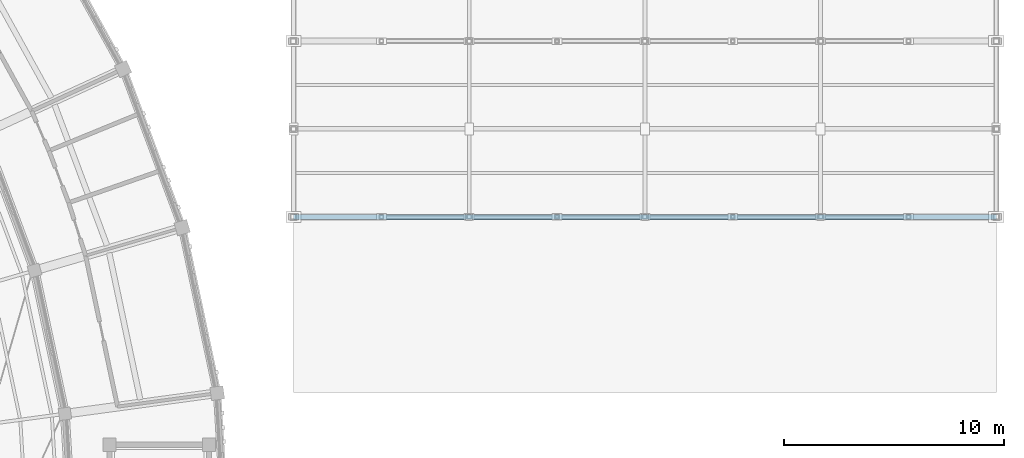
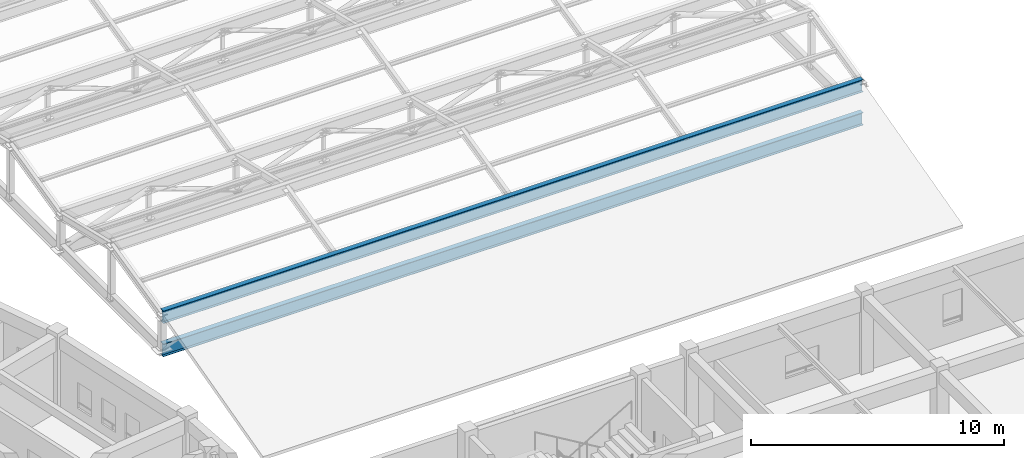
# One storey, part 39 of 112: 2 members.
"""IFC4 building model written with IfcOpenShell, lengths in metres."""

from ifc_helpers import new_model, si_unit, direction, frame, origin, origin_2d, place, context, subcontext, project, spatial, i_section, extrude, material, material_profile, profile_set, type_object, element, save


model = new_model("IFC4")

# Units and contexts
model_context = context("Model", 3, precision=1e-05, world=origin(), true_north=direction((0.0, 1.0)))
body_context = subcontext(model_context, "Body", "Model", "MODEL_VIEW")
ifc_project = project(units=[si_unit("LENGTHUNIT", "METRE"), si_unit("AREAUNIT", "SQUARE_METRE"), si_unit("VOLUMEUNIT", "CUBIC_METRE"), si_unit("PLANEANGLEUNIT", "RADIAN"), si_unit("MASSUNIT", "GRAM", prefix="KILO")], contexts=[model_context])

# Site, building, storey
site_placement = place(None, origin())
site = spatial("IfcSite", under=ifc_project, at=site_placement, CompositionType="ELEMENT")
building_placement = place(site_placement, origin())
building = spatial("IfcBuilding", under=site, at=building_placement, Name="Celadon Cloister-Ring School", CompositionType="ELEMENT")
storey_placement = place(building_placement, frame((0.0, 0.0, 8.5)))
storey = spatial("IfcBuildingStorey", under=building, at=storey_placement, Name="L02", CompositionType="ELEMENT", Elevation=8.5)

# Members
ifc_material_1 = material(Name="Structural steel S355JR", Category="steel")
ifc_material_profile_1 = material_profile(ifc_material_1, i_section(OverallWidth=0.22900390625, OverallDepth=0.612060546875, WebThickness=0.011962890625, FlangeThickness=0.01953125, at=origin_2d()), Name="W610X125")
ifc_profile_set_1 = profile_set([ifc_material_profile_1], Name="Structural steel S355JR")
member_type_1 = type_object("IfcMemberType", Name="MC-01", PredefinedType="CHORD", material=ifc_profile_set_1)
member_1_placement = place(storey_placement, frame((142.0, 74.0, 0.89990234375), z_axis=(1.0, 0.0, 0.0), x_axis=(0.0, 1.0, 0.0)))
element("IfcMember", 1, at=member_1_placement, inside=storey, type_object=member_type_1, Name="Structural Member 0395", PredefinedType="CHORD", context=body_context, shape_type="SweptSolid", body=[
    extrude(i_section(OverallWidth=0.22900390625, OverallDepth=0.612060546875, WebThickness=0.011962890625, FlangeThickness=0.01953125, at=origin_2d()), origin(), (0.0, 0.0, 1.0), 32.0),
])
ifc_material_2 = material(Name="Structural steel S355JR", Category="steel")
ifc_material_profile_2 = material_profile(ifc_material_2, i_section(OverallWidth=0.22802734375, OverallDepth=0.60302734375, WebThickness=0.010498046875, FlangeThickness=0.014892578125, at=origin_2d()), Name="W610X101")
ifc_profile_set_2 = profile_set([ifc_material_profile_2], Name="Structural steel S355JR")
member_type_2 = type_object("IfcMemberType", Name="MC-02", PredefinedType="CHORD", material=ifc_profile_set_2)
member_2_placement = place(storey_placement, frame((142.0, 74.0, 2.5), z_axis=(1.0, 0.0, 0.0), x_axis=(0.0, 1.0, 0.0)))
element("IfcMember", 2, at=member_2_placement, inside=storey, type_object=member_type_2, Name="Structural Member 0396", PredefinedType="CHORD", context=body_context, shape_type="SweptSolid", body=[
    extrude(i_section(OverallWidth=0.22802734375, OverallDepth=0.60302734375, WebThickness=0.010498046875, FlangeThickness=0.014892578125, at=origin_2d()), origin(), (0.0, 0.0, 1.0), 32.0),
])

save(model, "model.ifc")
